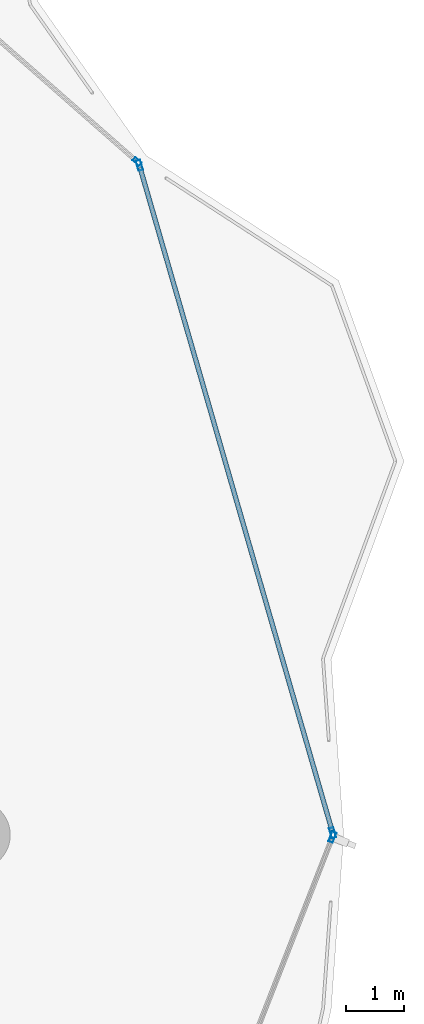
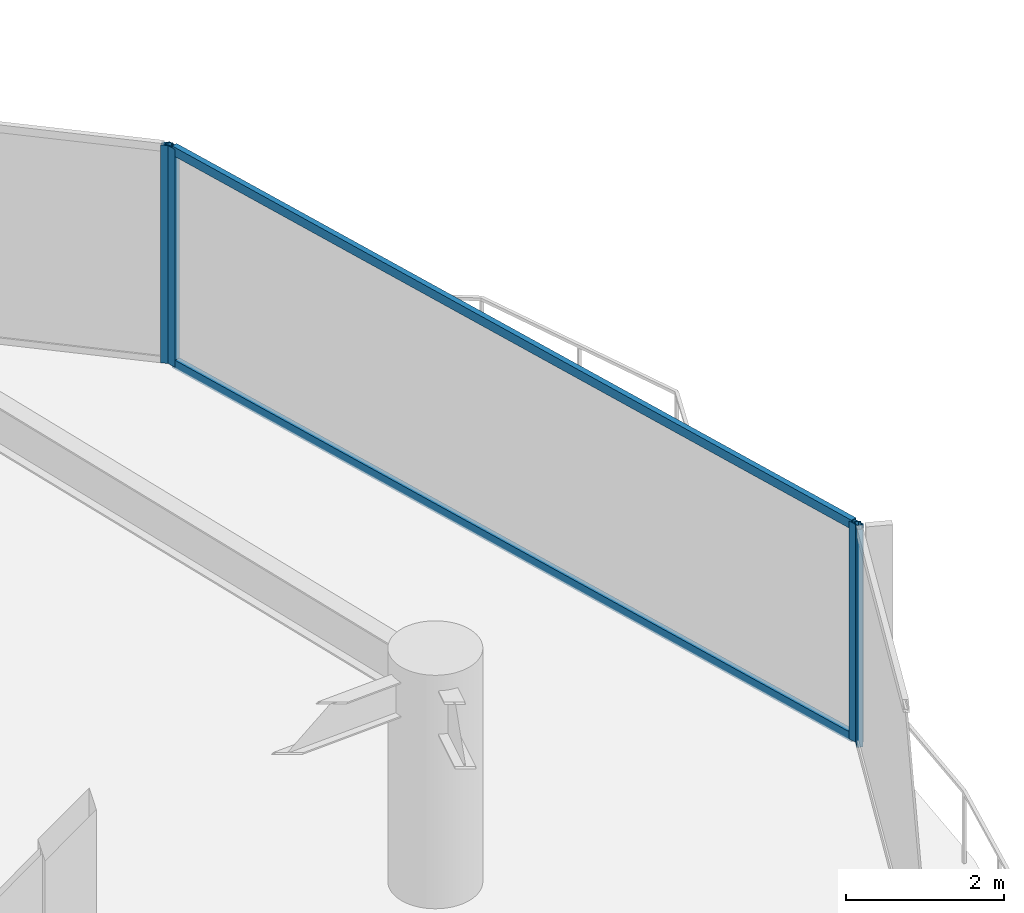
# One storey, part 24 of 34: 6 members, 3 elements without a shape of their own.
"""IFC4 building model written with IfcOpenShell, lengths in metres."""

from ifc_helpers import new_model, si_unit, direction, frame, origin, origin_2d, place, context, subcontext, project, spatial, hollow_rectangle, extrude, material, layer, layer_set, material_profile, profile_set, type_object, element, aggregate, save


model = new_model("IFC4")

# Units and contexts
model_context = context("Model", 3, precision=1e-05, world=origin(), true_north=direction((0.0, 1.0)))
body_context = subcontext(model_context, "Body", "Model", "MODEL_VIEW")
ifc_project = project(units=[si_unit("LENGTHUNIT", "METRE"), si_unit("AREAUNIT", "SQUARE_METRE"), si_unit("VOLUMEUNIT", "CUBIC_METRE"), si_unit("PLANEANGLEUNIT", "RADIAN"), si_unit("MASSUNIT", "GRAM", prefix="KILO")], contexts=[model_context])

# Site, building, storey
site_placement = place(None, origin())
site = spatial("IfcSite", under=ifc_project, at=site_placement, CompositionType="ELEMENT")
building_placement = place(site_placement, origin())
building = spatial("IfcBuilding", under=site, at=building_placement, Name="Kazevale Care Tower and Concert Hall", CompositionType="ELEMENT")
storey_placement = place(building_placement, frame((0.0, 0.0, 160.199951171875)))
storey = spatial("IfcBuildingStorey", under=building, at=storey_placement, Name="L42", CompositionType="ELEMENT", Elevation=160.199951171875)

# Curtain wall, member
ifc_material_1 = material(Name="Aluminium 6063-T6 and Low-E Glass", Category="aluminium")
ifc_layer_1 = layer(ifc_material_1, 0.179931640625)
ifc_layer_set_1 = layer_set([ifc_layer_1], Name="Aluminium 6063-T6 and Low-E Glass")
curtain_wall_type_1 = type_object("IfcCurtainWallType", Name="Convex Recessed Sunroom Curtain Wall CW-3", PredefinedType="NOTDEFINED", material=ifc_layer_set_1)
curtain_wall_1_placement = place(storey_placement, origin())
curtain_wall_1 = element("IfcCurtainWall", 1, at=curtain_wall_1_placement, inside=storey, type_object=curtain_wall_type_1, Name="cw:L42:f17", PredefinedType="NOTDEFINED")
ifc_material_2 = material(Name="Aluminium 6063-T6", Category="aluminium")
ifc_material_profile_1 = material_profile(ifc_material_2, hollow_rectangle(XDim=0.074951171875, YDim=0.14990234375, WallThickness=0.00390625, at=origin_2d()), Name="ALU75x150x4")
ifc_profile_set_1 = profile_set([ifc_material_profile_1], Name="Aluminium 6063-T6")
member_type_1 = type_object("IfcMemberType", Name="CW-3 Mullion ALU75x150x4", PredefinedType="MULLION", material=ifc_profile_set_1)
member_1_placement = place(storey_placement, frame((75.837890625, 49.607666015625, 0.0), z_axis=(0.0, 0.0, 1.0), x_axis=(0.659891732197, 0.751360700182, 0.0)))
member_1 = element("IfcMember", 2, at=member_1_placement, type_object=member_type_1, Name="CW-3 mullion 2", PredefinedType="MULLION", context=body_context, shape_type="SweptSolid", body=[
    extrude(hollow_rectangle(XDim=0.074951171875, YDim=0.14990234375, WallThickness=0.00390625, at=origin_2d()), origin(), (0.0, 0.0, 1.0), 3.360107421875),
])
aggregate(curtain_wall_1, [member_1])

ifc_layer_2 = layer(ifc_material_1, 0.179931640625)
ifc_layer_set_2 = layer_set([ifc_layer_2], Name="Aluminium 6063-T6 and Low-E Glass")
curtain_wall_type_2 = type_object("IfcCurtainWallType", Name="Waist & Upper Residential Curtain Wall CW-4", PredefinedType="NOTDEFINED", material=ifc_layer_set_2)
curtain_wall_2_placement = place(storey_placement, origin())
curtain_wall_2 = element("IfcCurtainWall", 3, at=curtain_wall_2_placement, inside=storey, type_object=curtain_wall_type_2, Name="cw:L42:f01", PredefinedType="NOTDEFINED")
ifc_material_profile_2 = material_profile(ifc_material_2, hollow_rectangle(XDim=0.080078125, YDim=0.179931640625, WallThickness=0.0048828125, at=origin_2d()), Name="ALU80x180x5")
ifc_profile_set_2 = profile_set([ifc_material_profile_2], Name="Aluminium 6063-T6")
member_type_2 = type_object("IfcMemberType", Name="CW-4 Mullion ALU80x180x5", PredefinedType="MULLION", material=ifc_profile_set_2)
member_2_placement = place(storey_placement, frame((79.205322265625, 37.962646484375, 0.0), z_axis=(0.0, 0.0, 1.0), x_axis=(0.931351746651, -0.36412075471, 0.0)))
member_2 = element("IfcMember", 4, at=member_2_placement, type_object=member_type_2, Name="CW-4 mullion 1", PredefinedType="MULLION", context=body_context, shape_type="SweptSolid", body=[
    extrude(hollow_rectangle(XDim=0.080078125, YDim=0.179931640625, WallThickness=0.0048828125, at=origin_2d()), origin(), (0.0, 0.0, 1.0), 3.360107421875),
])
aggregate(curtain_wall_2, [member_2])

# Curtain wall, members
curtain_wall_3_placement = place(storey_placement, origin())
curtain_wall_3 = element("IfcCurtainWall", 5, at=curtain_wall_3_placement, inside=storey, type_object=curtain_wall_type_2, Name="cw:L42:f18", PredefinedType="NOTDEFINED")
member_3_placement = place(storey_placement, frame((75.877197265625, 49.544677734375, 0.0), z_axis=(0.0, 0.0, 1.0), x_axis=(0.960541529182, 0.278136604418, 0.0)))
member_3 = element("IfcMember", 6, at=member_3_placement, type_object=member_type_2, Name="CW-4 mullion 1", PredefinedType="MULLION", context=body_context, shape_type="SweptSolid", body=[
    extrude(hollow_rectangle(XDim=0.080078125, YDim=0.179931640625, WallThickness=0.0048828125, at=origin_2d()), origin(), (0.0, 0.0, 1.0), 3.360107421875),
])
member_4_placement = place(storey_placement, frame((79.208984375, 38.038330078125, 0.0), z_axis=(0.0, 0.0, 1.0), x_axis=(0.960541529182, 0.278136604418, 0.0)))
member_4 = element("IfcMember", 7, at=member_4_placement, type_object=member_type_2, Name="CW-4 mullion 2", PredefinedType="MULLION", context=body_context, shape_type="SweptSolid", body=[
    extrude(hollow_rectangle(XDim=0.080078125, YDim=0.179931640625, WallThickness=0.0048828125, at=origin_2d()), origin(), (0.0, 0.0, 1.0), 3.360107421875),
])
ifc_material_profile_3 = material_profile(ifc_material_2, hollow_rectangle(XDim=0.080078125, YDim=0.139892578125, WallThickness=0.00390625, at=origin_2d()), Name="ALU80x140x4")
ifc_profile_set_3 = profile_set([ifc_material_profile_3], Name="Aluminium 6063-T6")
member_type_3 = type_object("IfcMemberType", Name="CW-4 Transom ALU80x140x4", PredefinedType="USERDEFINED", material=ifc_profile_set_3)
member_5_placement = place(storey_placement, frame((75.88818359375, 49.506103515625, 0.0400390625), z_axis=(0.278144763179, -0.960539166675, 0.0), x_axis=(0.960539166675, 0.278144763179, 0.0)))
member_5 = element("IfcMember", 8, at=member_5_placement, type_object=member_type_3, Name="CW-4 transom 1.1", ObjectType="TRANSOM", PredefinedType="USERDEFINED", context=body_context, shape_type="SweptSolid", body=[
    extrude(hollow_rectangle(XDim=0.080078125, YDim=0.139892578125, WallThickness=0.00390625, at=origin_2d()), origin(), (0.0, 0.0, 1.0), 11.898681640625),
])
member_6_placement = place(storey_placement, frame((75.88818359375, 49.506103515625, 3.320068359375), z_axis=(0.278144763179, -0.960539166675, 0.0), x_axis=(0.960539166675, 0.278144763179, 0.0)))
member_6 = element("IfcMember", 9, at=member_6_placement, type_object=member_type_3, Name="CW-4 transom 1.2", ObjectType="TRANSOM", PredefinedType="USERDEFINED", context=body_context, shape_type="SweptSolid", body=[
    extrude(hollow_rectangle(XDim=0.080078125, YDim=0.139892578125, WallThickness=0.00390625, at=origin_2d()), origin(), (0.0, 0.0, 1.0), 11.898681640625),
])
aggregate(curtain_wall_3, [member_3, member_4, member_5, member_6])

save(model, "model.ifc")
